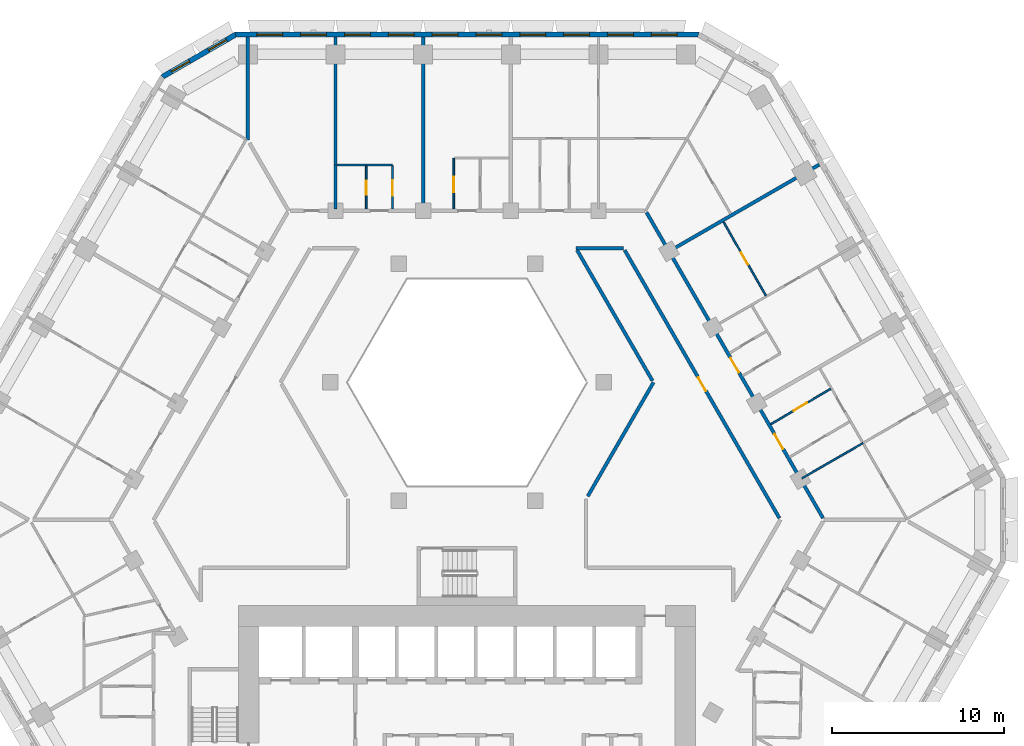
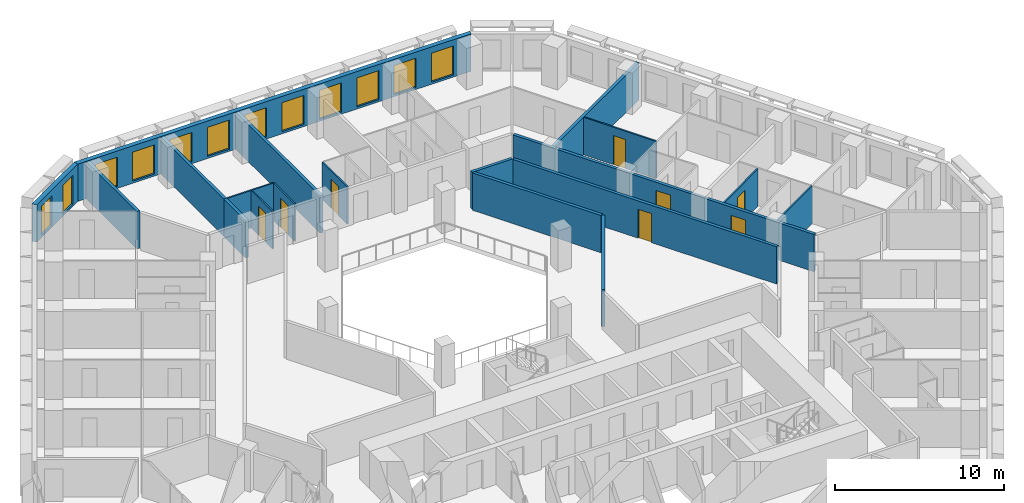
# One storey, part 10 of 21: 19 walls, 12 windows, 8 doors, 20 openings.
"""IFC4 building model written with IfcOpenShell, lengths in metres."""

from ifc_helpers import new_model, si_unit, direction, frame, frame_2d, origin, place, context, subcontext, project, spatial, polyline, rectangle, outline, extrude, material, layer, layer_set, type_object, element, fill, save


model = new_model("IFC4")

# Units and contexts
model_context = context("Model", 3, precision=1e-05, world=origin(), true_north=direction((0.0, 1.0)))
body_context = subcontext(model_context, "Body", "Model", "MODEL_VIEW")
ifc_project = project(units=[si_unit("LENGTHUNIT", "METRE"), si_unit("AREAUNIT", "SQUARE_METRE"), si_unit("VOLUMEUNIT", "CUBIC_METRE"), si_unit("PLANEANGLEUNIT", "RADIAN"), si_unit("MASSUNIT", "GRAM", prefix="KILO")], contexts=[model_context])

# Site, building, storey
site_placement = place(None, origin())
site = spatial("IfcSite", under=ifc_project, at=site_placement, CompositionType="ELEMENT")
building_placement = place(site_placement, origin())
building = spatial("IfcBuilding", under=site, at=building_placement, Name="Beryl Residences", CompositionType="ELEMENT")
storey_placement = place(building_placement, frame((0.0, 0.0, 35.39990234375)))
storey = spatial("IfcBuildingStorey", under=building, at=storey_placement, Name="L10", CompositionType="ELEMENT", Elevation=35.39990234375)

# Wall, openings, windows
ifc_material_1 = material(Name="Composite metal panel with mineral wool insulation")
ifc_layer_1 = layer(ifc_material_1, 0.300048828125)
ifc_layer_set_1 = layer_set([ifc_layer_1], Name="ES1 pale metal composite panel wall 300 mm")
wall_type_1 = type_object("IfcWallType", Name="ES1 pale metal composite panel wall 300 mm", PredefinedType="SOLIDWALL", material=ifc_layer_set_1)
wall_1_placement = place(storey_placement, frame((13.510009765625, 28.25, 0.0), z_axis=(0.0, 0.0, 1.0), x_axis=(-1.0, 0.0, 0.0)))
wall_1 = element("IfcWall", 1, at=wall_1_placement, inside=storey, type_object=wall_type_1, Name="ES1 external wall L10 N", PredefinedType="SOLIDWALL", context=body_context, shape_type="SweptSolid", body=[
    extrude(outline(polyline([(0.0, -0.14990234375), (27.02001953125, -0.14990234375), (26.939697265625, 0.14990234375), (0.080322265625, 0.14990234375), (0.0, -0.14990234375)])), origin(), (0.0, 0.0, 1.0), 2.7001953125),
])
opening_1_placement = place(wall_1_placement, frame((1.277099609375, 0.0, 0.14990234375)))
opening_1 = element("IfcOpeningElement", 2, at=opening_1_placement, cuts=wall_1, Name="Opening W1", PredefinedType="OPENING", context=body_context, shape_type="SweptSolid", body=[
    extrude(rectangle(XDim=1.5, YDim=2.10009765625, at=frame_2d((0.75, 1.050048828125))), frame((0.0, 0.159912109375, 0.0), z_axis=(0.0, -1.0, 0.0), x_axis=(1.0, 0.0, 0.0)), (0.0, 0.0, 1.0), 0.320068359375),
])
opening_2_placement = place(wall_1_placement, frame((3.8291015625, 0.0, 0.14990234375)))
opening_2 = element("IfcOpeningElement", 3, at=opening_2_placement, cuts=wall_1, Name="Opening W1", PredefinedType="OPENING", context=body_context, shape_type="SweptSolid", body=[
    extrude(rectangle(XDim=1.5, YDim=2.10009765625, at=frame_2d((0.75, 1.050048828125))), frame((0.0, 0.159912109375, 0.0), z_axis=(0.0, -1.0, 0.0), x_axis=(1.0, 0.0, 0.0)), (0.0, 0.0, 1.0), 0.320068359375),
])
opening_3_placement = place(wall_1_placement, frame((6.381103515625, 0.0, 0.14990234375)))
opening_3 = element("IfcOpeningElement", 4, at=opening_3_placement, cuts=wall_1, Name="Opening W1", PredefinedType="OPENING", context=body_context, shape_type="SweptSolid", body=[
    extrude(rectangle(XDim=1.5, YDim=2.10009765625, at=frame_2d((0.75, 1.050048828125))), frame((0.0, 0.159912109375, 0.0), z_axis=(0.0, -1.0, 0.0), x_axis=(1.0, 0.0, 0.0)), (0.0, 0.0, 1.0), 0.320068359375),
])
opening_4_placement = place(wall_1_placement, frame((8.93310546875, 0.0, 0.14990234375)))
opening_4 = element("IfcOpeningElement", 5, at=opening_4_placement, cuts=wall_1, Name="Opening W1", PredefinedType="OPENING", context=body_context, shape_type="SweptSolid", body=[
    extrude(rectangle(XDim=1.5, YDim=2.10009765625, at=frame_2d((0.75, 1.050048828125))), frame((0.0, 0.159912109375, 0.0), z_axis=(0.0, -1.0, 0.0), x_axis=(1.0, 0.0, 0.0)), (0.0, 0.0, 1.0), 0.320068359375),
])
opening_5_placement = place(wall_1_placement, frame((11.485107421875, 0.0, 0.14990234375)))
opening_5 = element("IfcOpeningElement", 6, at=opening_5_placement, cuts=wall_1, Name="Opening W1", PredefinedType="OPENING", context=body_context, shape_type="SweptSolid", body=[
    extrude(rectangle(XDim=1.5, YDim=2.10009765625, at=frame_2d((0.75, 1.050048828125))), frame((0.0, 0.159912109375, 0.0), z_axis=(0.0, -1.0, 0.0), x_axis=(1.0, 0.0, 0.0)), (0.0, 0.0, 1.0), 0.320068359375),
])
opening_6_placement = place(wall_1_placement, frame((14.037109375, 0.0, 0.14990234375)))
opening_6 = element("IfcOpeningElement", 7, at=opening_6_placement, cuts=wall_1, Name="Opening W1", PredefinedType="OPENING", context=body_context, shape_type="SweptSolid", body=[
    extrude(rectangle(XDim=1.5, YDim=2.10009765625, at=frame_2d((0.75, 1.050048828125))), frame((0.0, 0.159912109375, 0.0), z_axis=(0.0, -1.0, 0.0), x_axis=(1.0, 0.0, 0.0)), (0.0, 0.0, 1.0), 0.320068359375),
])
opening_7_placement = place(wall_1_placement, frame((16.589111328125, 0.0, 0.14990234375)))
opening_7 = element("IfcOpeningElement", 8, at=opening_7_placement, cuts=wall_1, Name="Opening W1", PredefinedType="OPENING", context=body_context, shape_type="SweptSolid", body=[
    extrude(rectangle(XDim=1.5, YDim=2.10009765625, at=frame_2d((0.75, 1.050048828125))), frame((0.0, 0.159912109375, 0.0), z_axis=(0.0, -1.0, 0.0), x_axis=(1.0, 0.0, 0.0)), (0.0, 0.0, 1.0), 0.320068359375),
])
opening_8_placement = place(wall_1_placement, frame((19.14111328125, 0.0, 0.14990234375)))
opening_8 = element("IfcOpeningElement", 9, at=opening_8_placement, cuts=wall_1, Name="Opening W1", PredefinedType="OPENING", context=body_context, shape_type="SweptSolid", body=[
    extrude(rectangle(XDim=1.5, YDim=2.10009765625, at=frame_2d((0.75, 1.050048828125))), frame((0.0, 0.159912109375, 0.0), z_axis=(0.0, -1.0, 0.0), x_axis=(1.0, 0.0, 0.0)), (0.0, 0.0, 1.0), 0.320068359375),
])
opening_9_placement = place(wall_1_placement, frame((21.693115234375, 0.0, 0.14990234375)))
opening_9 = element("IfcOpeningElement", 10, at=opening_9_placement, cuts=wall_1, Name="Opening W1", PredefinedType="OPENING", context=body_context, shape_type="SweptSolid", body=[
    extrude(rectangle(XDim=1.5, YDim=2.10009765625, at=frame_2d((0.75, 1.050048828125))), frame((0.0, 0.159912109375, 0.0), z_axis=(0.0, -1.0, 0.0), x_axis=(1.0, 0.0, 0.0)), (0.0, 0.0, 1.0), 0.320068359375),
])
opening_10_placement = place(wall_1_placement, frame((24.2451171875, 0.0, 0.14990234375)))
opening_10 = element("IfcOpeningElement", 11, at=opening_10_placement, cuts=wall_1, Name="Opening W1", PredefinedType="OPENING", context=body_context, shape_type="SweptSolid", body=[
    extrude(rectangle(XDim=1.5, YDim=2.10009765625, at=frame_2d((0.75, 1.050048828125))), frame((0.0, 0.159912109375, 0.0), z_axis=(0.0, -1.0, 0.0), x_axis=(1.0, 0.0, 0.0)), (0.0, 0.0, 1.0), 0.320068359375),
])
ifc_material_2 = material(Name="Aluminium and clear glass", Category="aluminium")
window_type_1 = type_object("IfcWindowType", Name="W1 cell window 1500 x 2100 mm", PartitioningType="SINGLE_PANEL", PredefinedType="WINDOW", material=ifc_material_2)
window_1_placement = place(opening_1_placement, origin())
window_1 = element("IfcWindow", 12, at=window_1_placement, inside=storey, type_object=window_type_1, Name="W1 window L10 N 1", OverallHeight=2.10009765625, OverallWidth=1.5, PartitioningType="SINGLE_PANEL", PredefinedType="WINDOW", context=body_context, shape_type="SweptSolid", body=[
    extrude(rectangle(XDim=1.5, YDim=2.10009765625, at=frame_2d((0.75, 1.050048828125))), frame((0.0, 0.030029296875, 0.0), z_axis=(0.0, -1.0, 0.0), x_axis=(1.0, 0.0, 0.0)), (0.0, 0.0, 1.0), 0.06005859375),
])
fill(opening_1, window_1)
window_2_placement = place(opening_2_placement, origin())
window_2 = element("IfcWindow", 13, at=window_2_placement, inside=storey, type_object=window_type_1, Name="W1 window L10 N 2", OverallHeight=2.10009765625, OverallWidth=1.5, PartitioningType="SINGLE_PANEL", PredefinedType="WINDOW", context=body_context, shape_type="SweptSolid", body=[
    extrude(rectangle(XDim=1.5, YDim=2.10009765625, at=frame_2d((0.75, 1.050048828125))), frame((0.0, 0.030029296875, 0.0), z_axis=(0.0, -1.0, 0.0), x_axis=(1.0, 0.0, 0.0)), (0.0, 0.0, 1.0), 0.06005859375),
])
fill(opening_2, window_2)
window_3_placement = place(opening_3_placement, origin())
window_3 = element("IfcWindow", 14, at=window_3_placement, inside=storey, type_object=window_type_1, Name="W1 window L10 N 3", OverallHeight=2.10009765625, OverallWidth=1.5, PartitioningType="SINGLE_PANEL", PredefinedType="WINDOW", context=body_context, shape_type="SweptSolid", body=[
    extrude(rectangle(XDim=1.5, YDim=2.10009765625, at=frame_2d((0.75, 1.050048828125))), frame((0.0, 0.030029296875, 0.0), z_axis=(0.0, -1.0, 0.0), x_axis=(1.0, 0.0, 0.0)), (0.0, 0.0, 1.0), 0.06005859375),
])
fill(opening_3, window_3)
window_4_placement = place(opening_4_placement, origin())
window_4 = element("IfcWindow", 15, at=window_4_placement, inside=storey, type_object=window_type_1, Name="W1 window L10 N 4", OverallHeight=2.10009765625, OverallWidth=1.5, PartitioningType="SINGLE_PANEL", PredefinedType="WINDOW", context=body_context, shape_type="SweptSolid", body=[
    extrude(rectangle(XDim=1.5, YDim=2.10009765625, at=frame_2d((0.75, 1.050048828125))), frame((0.0, 0.030029296875, 0.0), z_axis=(0.0, -1.0, 0.0), x_axis=(1.0, 0.0, 0.0)), (0.0, 0.0, 1.0), 0.06005859375),
])
fill(opening_4, window_4)
window_5_placement = place(opening_5_placement, origin())
window_5 = element("IfcWindow", 16, at=window_5_placement, inside=storey, type_object=window_type_1, Name="W1 window L10 N 5", OverallHeight=2.10009765625, OverallWidth=1.5, PartitioningType="SINGLE_PANEL", PredefinedType="WINDOW", context=body_context, shape_type="SweptSolid", body=[
    extrude(rectangle(XDim=1.5, YDim=2.10009765625, at=frame_2d((0.75, 1.050048828125))), frame((0.0, 0.030029296875, 0.0), z_axis=(0.0, -1.0, 0.0), x_axis=(1.0, 0.0, 0.0)), (0.0, 0.0, 1.0), 0.06005859375),
])
fill(opening_5, window_5)
window_6_placement = place(opening_6_placement, origin())
window_6 = element("IfcWindow", 17, at=window_6_placement, inside=storey, type_object=window_type_1, Name="W1 window L10 N 6", OverallHeight=2.10009765625, OverallWidth=1.5, PartitioningType="SINGLE_PANEL", PredefinedType="WINDOW", context=body_context, shape_type="SweptSolid", body=[
    extrude(rectangle(XDim=1.5, YDim=2.10009765625, at=frame_2d((0.75, 1.050048828125))), frame((0.0, 0.030029296875, 0.0), z_axis=(0.0, -1.0, 0.0), x_axis=(1.0, 0.0, 0.0)), (0.0, 0.0, 1.0), 0.06005859375),
])
fill(opening_6, window_6)
window_7_placement = place(opening_7_placement, origin())
window_7 = element("IfcWindow", 18, at=window_7_placement, inside=storey, type_object=window_type_1, Name="W1 window L10 N 7", OverallHeight=2.10009765625, OverallWidth=1.5, PartitioningType="SINGLE_PANEL", PredefinedType="WINDOW", context=body_context, shape_type="SweptSolid", body=[
    extrude(rectangle(XDim=1.5, YDim=2.10009765625, at=frame_2d((0.75, 1.050048828125))), frame((0.0, 0.030029296875, 0.0), z_axis=(0.0, -1.0, 0.0), x_axis=(1.0, 0.0, 0.0)), (0.0, 0.0, 1.0), 0.06005859375),
])
fill(opening_7, window_7)
window_8_placement = place(opening_8_placement, origin())
window_8 = element("IfcWindow", 19, at=window_8_placement, inside=storey, type_object=window_type_1, Name="W1 window L10 N 8", OverallHeight=2.10009765625, OverallWidth=1.5, PartitioningType="SINGLE_PANEL", PredefinedType="WINDOW", context=body_context, shape_type="SweptSolid", body=[
    extrude(rectangle(XDim=1.5, YDim=2.10009765625, at=frame_2d((0.75, 1.050048828125))), frame((0.0, 0.030029296875, 0.0), z_axis=(0.0, -1.0, 0.0), x_axis=(1.0, 0.0, 0.0)), (0.0, 0.0, 1.0), 0.06005859375),
])
fill(opening_8, window_8)
window_9_placement = place(opening_9_placement, origin())
window_9 = element("IfcWindow", 20, at=window_9_placement, inside=storey, type_object=window_type_1, Name="W1 window L10 N 9", OverallHeight=2.10009765625, OverallWidth=1.5, PartitioningType="SINGLE_PANEL", PredefinedType="WINDOW", context=body_context, shape_type="SweptSolid", body=[
    extrude(rectangle(XDim=1.5, YDim=2.10009765625, at=frame_2d((0.75, 1.050048828125))), frame((0.0, 0.030029296875, 0.0), z_axis=(0.0, -1.0, 0.0), x_axis=(1.0, 0.0, 0.0)), (0.0, 0.0, 1.0), 0.06005859375),
])
fill(opening_9, window_9)
window_10_placement = place(opening_10_placement, origin())
window_10 = element("IfcWindow", 21, at=window_10_placement, inside=storey, type_object=window_type_1, Name="W1 window L10 N 10", OverallHeight=2.10009765625, OverallWidth=1.5, PartitioningType="SINGLE_PANEL", PredefinedType="WINDOW", context=body_context, shape_type="SweptSolid", body=[
    extrude(rectangle(XDim=1.5, YDim=2.10009765625, at=frame_2d((0.75, 1.050048828125))), frame((0.0, 0.030029296875, 0.0), z_axis=(0.0, -1.0, 0.0), x_axis=(1.0, 0.0, 0.0)), (0.0, 0.0, 1.0), 0.06005859375),
])
fill(opening_10, window_10)

wall_2_placement = place(storey_placement, frame((-13.43505859375, 28.27001953125, 0.0), z_axis=(0.0, 0.0, 1.0), x_axis=(-0.866010750942, -0.50002537861, 0.0)))
wall_2 = element("IfcWall", 22, at=wall_2_placement, inside=storey, type_object=wall_type_1, Name="ES1 external wall L10 N-NW", PredefinedType="SOLIDWALL", context=body_context, shape_type="SweptSolid", body=[
    extrude(outline(polyline([(0.0, -0.14990234375), (4.999755859375, -0.14990234375), (4.91943359375, 0.14990234375), (0.080322265625, 0.14990234375), (0.0, -0.14990234375)])), origin(), (0.0, 0.0, 1.0), 2.7001953125),
])
opening_11_placement = place(wall_2_placement, frame((0.64990234375, 0.0, 0.14990234375)))
opening_11 = element("IfcOpeningElement", 23, at=opening_11_placement, cuts=wall_2, Name="Opening W2", PredefinedType="OPENING", context=body_context, shape_type="SweptSolid", body=[
    extrude(rectangle(XDim=1.199951171875, YDim=2.10009765625, at=frame_2d((0.60009765625, 1.050048828125))), frame((0.0, 0.159912109375, 0.0), z_axis=(0.0, -1.0, 0.0), x_axis=(1.0, 0.0, 0.0)), (0.0, 0.0, 1.0), 0.320068359375),
])
opening_12_placement = place(wall_2_placement, frame((3.14892578125, 0.0, 0.14990234375)))
opening_12 = element("IfcOpeningElement", 24, at=opening_12_placement, cuts=wall_2, Name="Opening W2", PredefinedType="OPENING", context=body_context, shape_type="SweptSolid", body=[
    extrude(rectangle(XDim=1.199951171875, YDim=2.10009765625, at=frame_2d((0.60009765625, 1.050048828125))), frame((0.0, 0.159912109375, 0.0), z_axis=(0.0, -1.0, 0.0), x_axis=(1.0, 0.0, 0.0)), (0.0, 0.0, 1.0), 0.320068359375),
])
ifc_material_3 = material(Name="Aluminium and clear glass", Category="aluminium")
window_type_2 = type_object("IfcWindowType", Name="W2 chamfer window 1200 x 2100 mm", PartitioningType="SINGLE_PANEL", PredefinedType="WINDOW", material=ifc_material_3)
window_11_placement = place(opening_11_placement, origin())
window_11 = element("IfcWindow", 25, at=window_11_placement, inside=storey, type_object=window_type_2, Name="W2 window L10 N-NW 1", OverallHeight=2.10009765625, OverallWidth=1.199951171875, PartitioningType="SINGLE_PANEL", PredefinedType="WINDOW", context=body_context, shape_type="SweptSolid", body=[
    extrude(rectangle(XDim=1.199951171875, YDim=2.10009765625, at=frame_2d((0.60009765625, 1.050048828125))), frame((0.0, 0.030029296875, 0.0), z_axis=(0.0, -1.0, 0.0), x_axis=(1.0, 0.0, 0.0)), (0.0, 0.0, 1.0), 0.06005859375),
])
fill(opening_11, window_11)
window_12_placement = place(opening_12_placement, origin())
window_12 = element("IfcWindow", 26, at=window_12_placement, inside=storey, type_object=window_type_2, Name="W2 window L10 N-NW 2", OverallHeight=2.10009765625, OverallWidth=1.199951171875, PartitioningType="SINGLE_PANEL", PredefinedType="WINDOW", context=body_context, shape_type="SweptSolid", body=[
    extrude(rectangle(XDim=1.199951171875, YDim=2.10009765625, at=frame_2d((0.60009765625, 1.050048828125))), frame((0.0, 0.030029296875, 0.0), z_axis=(0.0, -1.0, 0.0), x_axis=(1.0, 0.0, 0.0)), (0.0, 0.0, 1.0), 0.06005859375),
])
fill(opening_12, window_12)

# Wall, opening, door
ifc_material_4 = material(Name="Gypsum board partition on steel studs", Category="steel")
ifc_layer_2 = layer(ifc_material_4, 0.10009765625)
ifc_layer_set_2 = layer_set([ifc_layer_2], Name="PT1 partition 100 mm gypsum board on steel studs")
wall_type_2 = type_object("IfcWallType", Name="PT1 partition 100 mm gypsum board on steel studs", PredefinedType="PARTITIONING", material=ifc_layer_set_2)
wall_3_placement = place(storey_placement, frame((14.927978515625, 17.343994140625, 0.0), z_axis=(0.0, 0.0, 1.0), x_axis=(0.499881743012, -0.866093668724, 0.0)))
wall_3 = element("IfcWall", 27, at=wall_3_placement, inside=storey, type_object=wall_type_2, Name="Wall PT1 L10 003", PredefinedType="PARTITIONING", context=body_context, shape_type="SweptSolid", body=[
    extrude(rectangle(XDim=4.953369140625, YDim=0.10009765625, at=frame_2d((2.4765625, 0.0))), origin(), (0.0, 0.0, 1.0), 2.7001953125),
])
opening_13_placement = place(wall_3_placement, frame((2.052001953125, 0.0, 0.0)))
opening_13 = element("IfcOpeningElement", 28, at=opening_13_placement, cuts=wall_3, Name="Opening D0140", PredefinedType="OPENING", context=body_context, shape_type="SweptSolid", body=[
    extrude(rectangle(XDim=0.800048828125, YDim=2.10009765625, at=frame_2d((0.39990234375, 1.050048828125))), frame((0.0, 0.06005859375, 0.0), z_axis=(0.0, -1.0, 0.0), x_axis=(1.0, 0.0, 0.0)), (0.0, 0.0, 1.0), 0.1201171875),
])
ifc_material_5 = material(Name="Timber door leaf", Category="wood")
door_type_1 = type_object("IfcDoorType", Name="D3 bathroom door 800 x 2100 mm", OperationType="SINGLE_SWING_LEFT", PredefinedType="DOOR", material=ifc_material_5)
door_1_placement = place(opening_13_placement, origin())
door_1 = element("IfcDoor", 29, at=door_1_placement, inside=storey, type_object=door_type_1, Name="Door D0140 L10 001", OperationType="SINGLE_SWING_RIGHT", OverallHeight=2.10009765625, OverallWidth=0.800048828125, PredefinedType="DOOR", context=body_context, shape_type="SweptSolid", body=[
    extrude(rectangle(XDim=0.800048828125, YDim=2.10009765625, at=frame_2d((0.39990234375, 1.050048828125))), frame((0.0, 0.02490234375, 0.0), z_axis=(0.0, -1.0, 0.0), x_axis=(1.0, 0.0, 0.0)), (0.0, 0.0, 1.0), 0.050048828125),
])
fill(opening_13, door_1)

wall_4_placement = place(storey_placement, frame((-4.339111328125, 20.60888671875, 0.0), z_axis=(0.0, 0.0, 1.0), x_axis=(0.0, -1.0, 0.0)))
wall_4 = element("IfcWall", 30, at=wall_4_placement, inside=storey, type_object=wall_type_2, Name="Wall PT1 L10 007", PredefinedType="PARTITIONING", context=body_context, shape_type="SweptSolid", body=[
    extrude(rectangle(XDim=2.5087890625, YDim=0.10009765625, at=frame_2d((1.25439453125, 0.0))), origin(), (0.0, 0.0, 1.0), 2.7001953125),
])
opening_14_placement = place(wall_4_placement, frame((0.8291015625, 0.0, 0.0)))
opening_14 = element("IfcOpeningElement", 31, at=opening_14_placement, cuts=wall_4, Name="Opening D0153", PredefinedType="OPENING", context=body_context, shape_type="SweptSolid", body=[
    extrude(rectangle(XDim=0.89990234375, YDim=2.10009765625, at=frame_2d((0.449951171875, 1.050048828125))), frame((0.0, 0.06005859375, 0.0), z_axis=(0.0, -1.0, 0.0), x_axis=(1.0, 0.0, 0.0)), (0.0, 0.0, 1.0), 0.1201171875),
])
ifc_material_6 = material(Name="Timber door leaf", Category="wood")
door_type_2 = type_object("IfcDoorType", Name="D2 room door 900 x 2100 mm", OperationType="SINGLE_SWING_LEFT", PredefinedType="DOOR", material=ifc_material_6)
door_2_placement = place(opening_14_placement, origin())
door_2 = element("IfcDoor", 32, at=door_2_placement, inside=storey, type_object=door_type_2, Name="Door D0153 L10 001", OperationType="SINGLE_SWING_LEFT", OverallHeight=2.10009765625, OverallWidth=0.89990234375, PredefinedType="DOOR", context=body_context, shape_type="SweptSolid", body=[
    extrude(rectangle(XDim=0.89990234375, YDim=2.10009765625, at=frame_2d((0.449951171875, 1.050048828125))), frame((0.0, 0.02490234375, 0.0), z_axis=(0.0, -1.0, 0.0), x_axis=(1.0, 0.0, 0.0)), (0.0, 0.0, 1.0), 0.050048828125),
])
fill(opening_14, door_2)

# Wall
wall_5_placement = place(storey_placement, frame((-7.556884765625, 20.659912109375, 0.0), z_axis=(0.0, 0.0, 1.0), x_axis=(1.0, 0.0, 0.0)))
element("IfcWall", 33, at=wall_5_placement, inside=storey, type_object=wall_type_2, Name="Wall PT1 L10 032", PredefinedType="PARTITIONING", context=body_context, shape_type="SweptSolid", body=[
    extrude(rectangle(XDim=3.216796875, YDim=0.10009765625, at=frame_2d((1.6083984375, 0.0))), origin(), (0.0, 0.0, 1.0), 2.7001953125),
])

# Wall, opening, door
wall_6_placement = place(storey_placement, frame((-5.87109375, 18.10009765625, 0.0), z_axis=(0.0, 0.0, 1.0), x_axis=(0.0, 1.0, 0.0)))
wall_6 = element("IfcWall", 34, at=wall_6_placement, inside=storey, type_object=wall_type_2, Name="Wall PT1 L10 053", PredefinedType="PARTITIONING", context=body_context, shape_type="SweptSolid", body=[
    extrude(rectangle(XDim=2.510009765625, YDim=0.10009765625, at=frame_2d((1.2548828125, 0.0))), origin(), (0.0, 0.0, 1.0), 2.7001953125),
])
opening_15_placement = place(wall_6_placement, frame((0.830078125, 0.0, 0.0)))
opening_15 = element("IfcOpeningElement", 35, at=opening_15_placement, cuts=wall_6, Name="Opening D0154", PredefinedType="OPENING", context=body_context, shape_type="SweptSolid", body=[
    extrude(rectangle(XDim=0.800048828125, YDim=2.10009765625, at=frame_2d((0.39990234375, 1.050048828125))), frame((0.0, 0.06005859375, 0.0), z_axis=(0.0, -1.0, 0.0), x_axis=(1.0, 0.0, 0.0)), (0.0, 0.0, 1.0), 0.1201171875),
])
door_3_placement = place(opening_15_placement, origin())
door_3 = element("IfcDoor", 36, at=door_3_placement, inside=storey, type_object=door_type_1, Name="Door D0154 L10 001", OperationType="SINGLE_SWING_RIGHT", OverallHeight=2.10009765625, OverallWidth=0.800048828125, PredefinedType="DOOR", context=body_context, shape_type="SweptSolid", body=[
    extrude(rectangle(XDim=0.800048828125, YDim=2.10009765625, at=frame_2d((0.39990234375, 1.050048828125))), frame((0.0, 0.02490234375, 0.0), z_axis=(0.0, -1.0, 0.0), x_axis=(1.0, 0.0, 0.0)), (0.0, 0.0, 1.0), 0.050048828125),
])
fill(opening_15, door_3)

wall_7_placement = place(storey_placement, frame((-0.76708984375, 18.10009765625, 0.0), z_axis=(0.0, 0.0, 1.0), x_axis=(0.0, 1.0, 0.0)))
wall_7 = element("IfcWall", 37, at=wall_7_placement, inside=storey, type_object=wall_type_2, Name="Wall PT1 L10 055", PredefinedType="PARTITIONING", context=body_context, shape_type="SweptSolid", body=[
    extrude(rectangle(XDim=2.958984375, YDim=0.10009765625, at=frame_2d((1.4794921875, 0.0))), origin(), (0.0, 0.0, 1.0), 2.7001953125),
])
opening_16_placement = place(wall_7_placement, frame((0.97998046875, 0.0, 0.0)))
opening_16 = element("IfcOpeningElement", 38, at=opening_16_placement, cuts=wall_7, Name="Opening D0150", PredefinedType="OPENING", context=body_context, shape_type="SweptSolid", body=[
    extrude(rectangle(XDim=0.89990234375, YDim=2.10009765625, at=frame_2d((0.449951171875, 1.050048828125))), frame((0.0, 0.06005859375, 0.0), z_axis=(0.0, -1.0, 0.0), x_axis=(1.0, 0.0, 0.0)), (0.0, 0.0, 1.0), 0.1201171875),
])
door_4_placement = place(opening_16_placement, origin())
door_4 = element("IfcDoor", 39, at=door_4_placement, inside=storey, type_object=door_type_2, Name="Door D0150 L10 001", OperationType="SINGLE_SWING_RIGHT", OverallHeight=2.10009765625, OverallWidth=0.89990234375, PredefinedType="DOOR", context=body_context, shape_type="SweptSolid", body=[
    extrude(rectangle(XDim=0.89990234375, YDim=2.10009765625, at=frame_2d((0.449951171875, 1.050048828125))), frame((0.0, 0.02490234375, 0.0), z_axis=(0.0, -1.0, 0.0), x_axis=(1.0, 0.0, 0.0)), (0.0, 0.0, 1.0), 0.050048828125),
])
fill(opening_16, door_4)

# Wall
wall_8_placement = place(storey_placement, frame((19.5029296875, 2.4208984375, 0.0), z_axis=(0.0, 0.0, 1.0), x_axis=(0.866083434238, 0.499899474834, 0.0)))
element("IfcWall", 40, at=wall_8_placement, inside=storey, type_object=wall_type_2, Name="Wall PT1 L10 062", PredefinedType="PARTITIONING", context=body_context, shape_type="SweptSolid", body=[
    extrude(rectangle(XDim=4.098876953125, YDim=0.10009765625, at=frame_2d((2.04931640625, 0.0))), origin(), (0.0, 0.0, 1.0), 2.7001953125),
])

# Wall, opening, door
wall_9_placement = place(storey_placement, frame((17.68798828125, 5.56298828125, 0.0), z_axis=(0.0, 0.0, 1.0), x_axis=(0.860050619918, 0.510208713351, 0.0)))
wall_9 = element("IfcWall", 41, at=wall_9_placement, inside=storey, type_object=wall_type_2, Name="Wall PT1 L10 067", PredefinedType="PARTITIONING", context=body_context, shape_type="SweptSolid", body=[
    extrude(rectangle(XDim=4.051025390625, YDim=0.10009765625, at=frame_2d((2.025390625, 0.0))), origin(), (0.0, 0.0, 1.0), 2.7001953125),
])
opening_17_placement = place(wall_9_placement, frame((1.550048828125, 0.0, 0.0)))
opening_17 = element("IfcOpeningElement", 42, at=opening_17_placement, cuts=wall_9, Name="Opening D0130", PredefinedType="OPENING", context=body_context, shape_type="SweptSolid", body=[
    extrude(rectangle(XDim=0.89990234375, YDim=2.10009765625, at=frame_2d((0.449951171875, 1.050048828125))), frame((0.0, 0.06005859375, 0.0), z_axis=(0.0, -1.0, 0.0), x_axis=(1.0, 0.0, 0.0)), (0.0, 0.0, 1.0), 0.1201171875),
])
door_5_placement = place(opening_17_placement, origin())
door_5 = element("IfcDoor", 43, at=door_5_placement, inside=storey, type_object=door_type_2, Name="Door D0130 L10 001", OperationType="SINGLE_SWING_RIGHT", OverallHeight=2.10009765625, OverallWidth=0.89990234375, PredefinedType="DOOR", context=body_context, shape_type="SweptSolid", body=[
    extrude(rectangle(XDim=0.89990234375, YDim=2.10009765625, at=frame_2d((0.449951171875, 1.050048828125))), frame((0.0, 0.02490234375, 0.0), z_axis=(0.0, -1.0, 0.0), x_axis=(1.0, 0.0, 0.0)), (0.0, 0.0, 1.0), 0.050048828125),
])
fill(opening_17, door_5)

# Walls
ifc_material_7 = material(Name="Acoustic double stud gypsum board wall")
ifc_layer_3 = layer(ifc_material_7, 0.199951171875)
ifc_layer_set_3 = layer_set([ifc_layer_3], Name="PT3 party wall 200 mm acoustic double stud")
wall_type_3 = type_object("IfcWallType", Name="PT3 party wall 200 mm acoustic double stud", PredefinedType="PARTITIONING", material=ifc_layer_set_3)
wall_10_placement = place(storey_placement, frame((-7.656982421875, 28.10009765625, 0.0), z_axis=(0.0, 0.0, 1.0), x_axis=(0.0, -1.0, 0.0)))
element("IfcWall", 44, at=wall_10_placement, inside=storey, type_object=wall_type_3, Name="Wall PT3 L10 003", PredefinedType="PARTITIONING", context=body_context, shape_type="SweptSolid", body=[
    extrude(rectangle(XDim=7.440185546875, YDim=0.199951171875, at=frame_2d((3.72021484375, 0.0))), origin(), (0.0, 0.0, 1.0), 2.7001953125),
])
wall_11_placement = place(storey_placement, frame((-2.552978515625, 28.10009765625, 0.0), z_axis=(0.0, 0.0, 1.0), x_axis=(0.0, -1.0, 0.0)))
element("IfcWall", 45, at=wall_11_placement, inside=storey, type_object=wall_type_3, Name="Wall PT3 L10 005", PredefinedType="PARTITIONING", context=body_context, shape_type="SweptSolid", body=[
    extrude(rectangle(XDim=10.0, YDim=0.199951171875, at=frame_2d((5.0, 0.0))), origin(), (0.0, 0.0, 1.0), 2.7001953125),
])
wall_12_placement = place(storey_placement, frame((-7.656982421875, 18.10009765625, 0.0), z_axis=(0.0, 0.0, 1.0), x_axis=(0.0, 1.0, 0.0)))
element("IfcWall", 46, at=wall_12_placement, inside=storey, type_object=wall_type_3, Name="Wall PT3 L10 020", PredefinedType="PARTITIONING", context=body_context, shape_type="SweptSolid", body=[
    extrude(rectangle(XDim=2.559814453125, YDim=0.199951171875, at=frame_2d((1.27978515625, 0.0))), origin(), (0.0, 0.0, 1.0), 2.7001953125),
])
wall_13_placement = place(storey_placement, frame((-12.760986328125, 22.10302734375, 0.0), z_axis=(0.0, 0.0, 1.0), x_axis=(0.0, 1.0, 0.0)))
element("IfcWall", 47, at=wall_13_placement, inside=storey, type_object=wall_type_3, Name="Wall PT3 L10 021", PredefinedType="PARTITIONING", context=body_context, shape_type="SweptSolid", body=[
    extrude(rectangle(XDim=5.9970703125, YDim=0.199951171875, at=frame_2d((2.99853515625, 0.0))), origin(), (0.0, 0.0, 1.0), 2.7001953125),
])
wall_14_placement = place(storey_placement, frame((11.846923828125, 15.680908203125, 0.0), z_axis=(0.0, 0.0, 1.0), x_axis=(0.866022959057, 0.500004234368, 0.0)))
element("IfcWall", 48, at=wall_14_placement, inside=storey, type_object=wall_type_3, Name="Wall PT3 L10 026", PredefinedType="PARTITIONING", context=body_context, shape_type="SweptSolid", body=[
    extrude(rectangle(XDim=10.0, YDim=0.199951171875, at=frame_2d((5.0, 0.0))), origin(), (0.0, 0.0, 1.0), 2.7001953125),
])
ifc_material_8 = material(Name="Double stud gypsum board wall")
ifc_layer_4 = layer(ifc_material_8, 0.199951171875)
ifc_layer_set_4 = layer_set([ifc_layer_4], Name="PT4 corridor wall 200 mm double stud")
wall_type_4 = type_object("IfcWallType", Name="PT4 corridor wall 200 mm double stud", PredefinedType="PARTITIONING", material=ifc_layer_set_4)
wall_15_placement = place(storey_placement, frame((6.408935546875, 15.699951171875, 0.0), z_axis=(0.0, 0.0, 1.0), x_axis=(0.499930377127, -0.866065596838, 0.0)))
element("IfcWall", 49, at=wall_15_placement, inside=storey, type_object=wall_type_4, Name="Wall PT4 L10 004", PredefinedType="PARTITIONING", context=body_context, shape_type="SweptSolid", body=[
    extrude(rectangle(XDim=8.775146484375, YDim=0.199951171875, at=frame_2d((4.3876953125, 0.0))), origin(), (0.0, 0.0, 1.0), 2.7001953125),
])

# Wall, opening, door
wall_16_placement = place(storey_placement, frame((9.179931640625, 15.699951171875, 0.0), z_axis=(0.0, 0.0, 1.0), x_axis=(0.500003652032, -0.866023295272, 0.0)))
wall_16 = element("IfcWall", 50, at=wall_16_placement, inside=storey, type_object=wall_type_4, Name="Wall PT4 L10 005", PredefinedType="PARTITIONING", context=body_context, shape_type="SweptSolid", body=[
    extrude(rectangle(XDim=18.011962890625, YDim=0.199951171875, at=frame_2d((9.005859375, 0.0))), origin(), (0.0, 0.0, 1.0), 2.7001953125),
])
opening_18_placement = place(wall_16_placement, frame((8.555908203125, 0.0, 0.0)))
opening_18 = element("IfcOpeningElement", 51, at=opening_18_placement, cuts=wall_16, Name="Opening D0182", PredefinedType="OPENING", context=body_context, shape_type="SweptSolid", body=[
    extrude(rectangle(XDim=0.89990234375, YDim=2.10009765625, at=frame_2d((0.449951171875, 1.050048828125))), frame((0.0, 0.10986328125, 0.0), z_axis=(0.0, -1.0, 0.0), x_axis=(1.0, 0.0, 0.0)), (0.0, 0.0, 1.0), 0.219970703125),
])
door_6_placement = place(opening_18_placement, origin())
door_6 = element("IfcDoor", 52, at=door_6_placement, inside=storey, type_object=door_type_2, Name="Door D0182 L10 001", OperationType="SINGLE_SWING_RIGHT", OverallHeight=2.10009765625, OverallWidth=0.89990234375, PredefinedType="DOOR", context=body_context, shape_type="SweptSolid", body=[
    extrude(rectangle(XDim=0.89990234375, YDim=2.10009765625, at=frame_2d((0.449951171875, 1.050048828125))), frame((0.0, 0.02490234375, 0.0), z_axis=(0.0, -1.0, 0.0), x_axis=(1.0, 0.0, 0.0)), (0.0, 0.0, 1.0), 0.050048828125),
])
fill(opening_18, door_6)

# Wall, openings, doors
wall_17_placement = place(storey_placement, frame((10.449951171875, 17.89990234375, 0.0), z_axis=(0.0, 0.0, 1.0), x_axis=(0.500034352617, -0.866005569383, 0.0)))
wall_17 = element("IfcWall", 53, at=wall_17_placement, inside=storey, type_object=wall_type_4, Name="Wall PT4 L10 006", PredefinedType="PARTITIONING", context=body_context, shape_type="SweptSolid", body=[
    extrude(rectangle(XDim=20.552734375, YDim=0.199951171875, at=frame_2d((10.2763671875, 0.0))), origin(), (0.0, 0.0, 1.0), 2.7001953125),
])
opening_19_placement = place(wall_17_placement, frame((14.903076171875, 0.0, 0.0)))
opening_19 = element("IfcOpeningElement", 54, at=opening_19_placement, cuts=wall_17, Name="Opening D0128", PredefinedType="OPENING", context=body_context, shape_type="SweptSolid", body=[
    extrude(rectangle(XDim=1.0, YDim=2.10009765625, at=frame_2d((0.5, 1.050048828125))), frame((0.0, 0.10986328125, 0.0), z_axis=(0.0, -1.0, 0.0), x_axis=(1.0, 0.0, 0.0)), (0.0, 0.0, 1.0), 0.219970703125),
])
opening_20_placement = place(wall_17_placement, frame((9.77490234375, 0.0, 0.0)))
opening_20 = element("IfcOpeningElement", 55, at=opening_20_placement, cuts=wall_17, Name="Opening D0135", PredefinedType="OPENING", context=body_context, shape_type="SweptSolid", body=[
    extrude(rectangle(XDim=1.0, YDim=2.10009765625, at=frame_2d((0.5, 1.050048828125))), frame((0.0, 0.10986328125, 0.0), z_axis=(0.0, -1.0, 0.0), x_axis=(1.0, 0.0, 0.0)), (0.0, 0.0, 1.0), 0.219970703125),
])
ifc_material_9 = material(Name="Timber door leaf", Category="wood")
door_type_3 = type_object("IfcDoorType", Name="D1 flat entrance door 1000 x 2100 mm", OperationType="SINGLE_SWING_LEFT", PredefinedType="DOOR", material=ifc_material_9)
door_7_placement = place(opening_19_placement, origin())
door_7 = element("IfcDoor", 56, at=door_7_placement, inside=storey, type_object=door_type_3, Name="Door D0128 L10 001", OperationType="SINGLE_SWING_RIGHT", OverallHeight=2.10009765625, OverallWidth=1.0, PredefinedType="DOOR", context=body_context, shape_type="SweptSolid", body=[
    extrude(rectangle(XDim=1.0, YDim=2.10009765625, at=frame_2d((0.5, 1.050048828125))), frame((0.0, 0.02490234375, 0.0), z_axis=(0.0, -1.0, 0.0), x_axis=(1.0, 0.0, 0.0)), (0.0, 0.0, 1.0), 0.050048828125),
])
fill(opening_19, door_7)
door_8_placement = place(opening_20_placement, origin())
door_8 = element("IfcDoor", 57, at=door_8_placement, inside=storey, type_object=door_type_3, Name="Door D0135 L10 001", OperationType="SINGLE_SWING_LEFT", OverallHeight=2.10009765625, OverallWidth=1.0, PredefinedType="DOOR", context=body_context, shape_type="SweptSolid", body=[
    extrude(rectangle(XDim=1.0, YDim=2.10009765625, at=frame_2d((0.5, 1.050048828125))), frame((0.0, 0.02490234375, 0.0), z_axis=(0.0, -1.0, 0.0), x_axis=(1.0, 0.0, 0.0)), (0.0, 0.0, 1.0), 0.050048828125),
])
fill(opening_20, door_8)

# Walls
wall_18_placement = place(storey_placement, frame((6.35107421875, 15.800048828125, 0.0), z_axis=(0.0, 0.0, 1.0), x_axis=(1.0, 0.0, 0.0)))
element("IfcWall", 58, at=wall_18_placement, inside=storey, type_object=wall_type_4, Name="Wall PT4 L10 016", PredefinedType="PARTITIONING", context=body_context, shape_type="SweptSolid", body=[
    extrude(rectangle(XDim=2.77099609375, YDim=0.199951171875, at=frame_2d((1.385498046875, 0.0))), origin(), (0.0, 0.0, 1.0), 2.7001953125),
])
wall_19_placement = place(storey_placement, frame((7.028076171875, 1.373046875, 0.0), z_axis=(0.0, 0.0, 1.0), x_axis=(0.49998574534, 0.86603363356, 0.0)))
element("IfcWall", 59, at=wall_19_placement, inside=storey, type_object=wall_type_4, Name="Wall PT4 L10 018", PredefinedType="PARTITIONING", context=body_context, shape_type="SweptSolid", body=[
    extrude(rectangle(XDim=7.652099609375, YDim=0.199951171875, at=frame_2d((3.826171875, 0.0))), origin(), (0.0, 0.0, 1.0), 2.7001953125),
])

save(model, "model.ifc")
